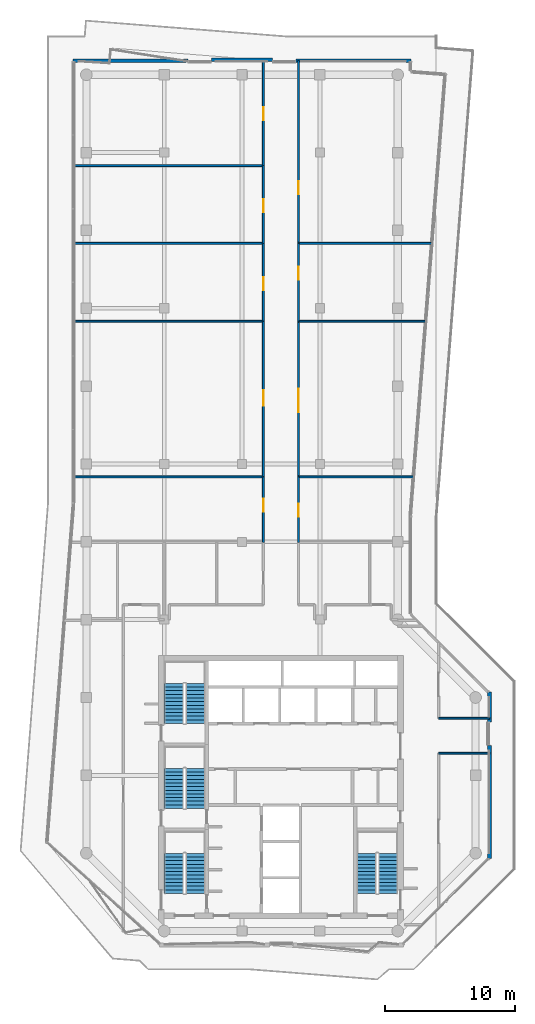
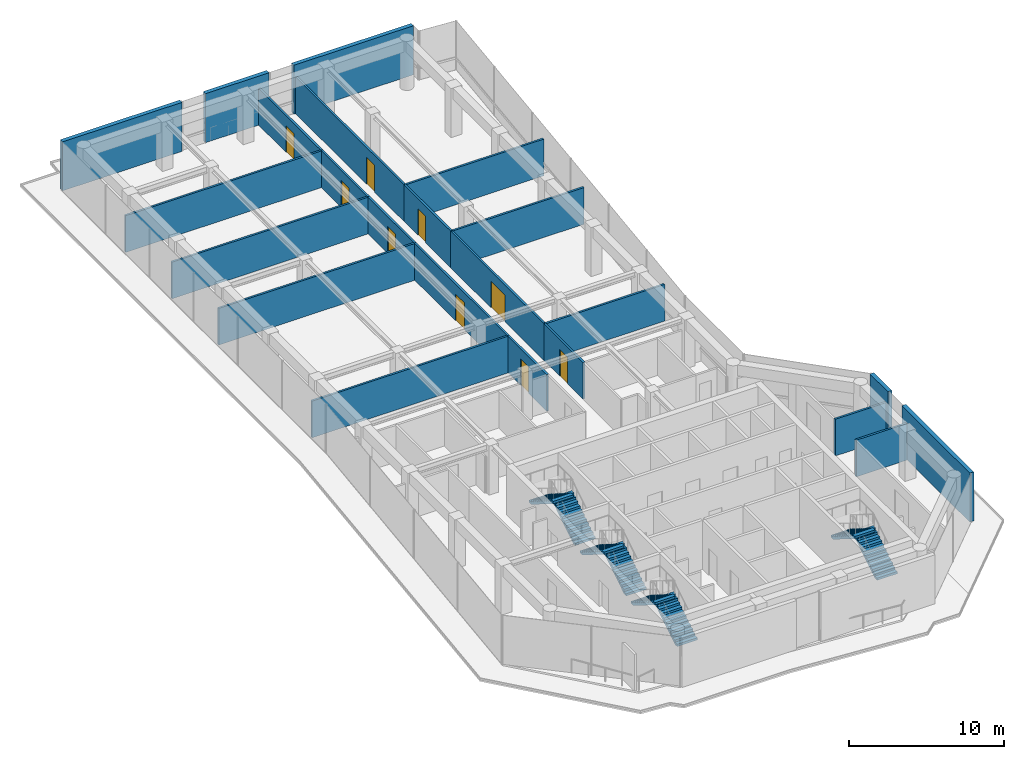
# One storey, part 21 of 23: 23 walls, 9 doors, 8 stair flights, 9 openings, 4 elements without a shape of their own.
"""IFC4 building model written with IfcOpenShell, lengths in metres."""

from ifc_helpers import new_model, si_unit, direction, frame, frame_2d, origin, place, context, subcontext, project, spatial, polyline, rectangle, outline, extrude, material, layer, layer_set, type_object, element, fill, aggregate, save


model = new_model("IFC4")

# Units and contexts
model_context = context("Model", 3, precision=1e-05, world=origin(), true_north=direction((0.0, 1.0)))
body_context = subcontext(model_context, "Body", "Model", "MODEL_VIEW")
ifc_project = project(units=[si_unit("LENGTHUNIT", "METRE"), si_unit("AREAUNIT", "SQUARE_METRE"), si_unit("VOLUMEUNIT", "CUBIC_METRE"), si_unit("PLANEANGLEUNIT", "RADIAN"), si_unit("MASSUNIT", "GRAM", prefix="KILO")], contexts=[model_context])

# Site, building, storey
site_placement = place(None, origin())
site = spatial("IfcSite", under=ifc_project, at=site_placement, CompositionType="ELEMENT")
building_placement = place(site_placement, origin())
building = spatial("IfcBuilding", under=site, at=building_placement, Name="Welwitschia Terrace Campus", CompositionType="ELEMENT")
storey_placement = place(building_placement, frame((0.0, 0.0, 247.39990234375)))
storey = spatial("IfcBuildingStorey", under=building, at=storey_placement, Name="L55", CompositionType="ELEMENT", Elevation=247.39990234375)

# Walls
ifc_material_1 = material(Name="Gypsum board on steel studs", Category="steel")
ifc_layer_1 = layer(ifc_material_1, 0.14990234375)
ifc_layer_set_1 = layer_set([ifc_layer_1], Name="Gypsum board on steel studs")
wall_type_1 = type_object("IfcWallType", Name="Corridor partition 150 EI 30", PredefinedType="PARTITIONING", material=ifc_layer_set_1)
for number, where, z_axis, x_axis, name in (
    (1, (-0.97998046875, 39.0, 0.0), (0.0, 0.0, 1.0), (1.0, 0.0, 0.0), "Partition"),
    (2, (-0.97998046875, 51.0, 0.0), (0.0, 0.0, 1.0), (1.0, 0.0, 0.0), "Partition"),
    (3, (-0.97998046875, 57.0, 0.0), (0.0, 0.0, 1.0), (1.0, 0.0, 0.0), "Partition"),
    (4, (-0.97998046875, 63.0, 0.0), (0.0, 0.0, 1.0), (1.0, 0.0, 0.0), "Partition"),
):
    element("IfcWall", number, at=place(storey_placement, frame(where, z_axis=z_axis, x_axis=x_axis)), inside=storey, type_object=wall_type_1, Name=name, PredefinedType="PARTITIONING", context=body_context, shape_type="SweptSolid", body=[
        extrude(rectangle(XDim=14.6298828125, YDim=0.14990234375, at=frame_2d((7.31494140625, 0.0))), origin(), (0.0, 0.0, 1.0), 2.880126953125),
    ])

# Wall, opening, door
wall_1_placement = place(storey_placement, frame((13.64990234375, 33.949951171875, 0.0), z_axis=(0.0, 0.0, 1.0), x_axis=(0.0, 1.0, 0.0)))
wall_1 = element("IfcWall", 5, at=wall_1_placement, inside=storey, type_object=wall_type_1, Name="Partition", PredefinedType="PARTITIONING", context=body_context, shape_type="SweptSolid", body=[
    extrude(rectangle(XDim=5.050048828125, YDim=0.14990234375, at=frame_2d((2.52490234375, 0.0))), origin(), (0.0, 0.0, 1.0), 2.880126953125),
])
opening_1_placement = place(wall_1_placement, frame((2.35009765625, 0.0, 0.0)))
opening_1 = element("IfcOpeningElement", 6, at=opening_1_placement, cuts=wall_1, Name="Opening DI10", PredefinedType="OPENING", context=body_context, shape_type="SweptSolid", body=[
    extrude(rectangle(XDim=1.0, YDim=2.10009765625, at=frame_2d((0.5, 1.050048828125))), frame((0.0, 0.0849609375, 0.0), z_axis=(0.0, -1.0, 0.0), x_axis=(1.0, 0.0, 0.0)), (0.0, 0.0, 1.0), 0.169921875),
])
ifc_material_2 = material(Name="Timber veneered door", Category="wood")
door_type_1 = type_object("IfcDoorType", Name="Interior door DI10", OperationType="NOTDEFINED", PredefinedType="DOOR", material=ifc_material_2)
door_1_placement = place(opening_1_placement, origin())
door_1 = element("IfcDoor", 7, at=door_1_placement, inside=storey, type_object=door_type_1, Name="Door L55 1005", OperationType="SINGLE_SWING_RIGHT", OverallHeight=2.10009765625, OverallWidth=1.0, PredefinedType="DOOR", context=body_context, shape_type="SweptSolid", body=[
    extrude(rectangle(XDim=1.0, YDim=2.10009765625, at=frame_2d((0.5, 1.050048828125))), frame((0.0, 0.02490234375, 0.0), z_axis=(0.0, -1.0, 0.0), x_axis=(1.0, 0.0, 0.0)), (0.0, 0.0, 1.0), 0.050048828125),
])
fill(opening_1, door_1)

wall_2_placement = place(storey_placement, frame((13.64990234375, 39.0, 0.0), z_axis=(0.0, 0.0, 1.0), x_axis=(0.0, 1.0, 0.0)))
wall_2 = element("IfcWall", 8, at=wall_2_placement, inside=storey, type_object=wall_type_1, Name="Partition", PredefinedType="PARTITIONING", context=body_context, shape_type="SweptSolid", body=[
    extrude(rectangle(XDim=12.0, YDim=0.14990234375, at=frame_2d((6.0, 0.0))), origin(), (0.0, 0.0, 1.0), 2.880126953125),
])
opening_2_placement = place(wall_2_placement, frame((5.5, 0.0, 0.0)))
opening_2 = element("IfcOpeningElement", 9, at=opening_2_placement, cuts=wall_2, Name="Opening DI12", PredefinedType="OPENING", context=body_context, shape_type="SweptSolid", body=[
    extrude(rectangle(XDim=1.199951171875, YDim=2.10009765625, at=frame_2d((0.60009765625, 1.050048828125))), frame((0.0, 0.0849609375, 0.0), z_axis=(0.0, -1.0, 0.0), x_axis=(1.0, 0.0, 0.0)), (0.0, 0.0, 1.0), 0.169921875),
])
ifc_material_3 = material(Name="Timber veneered door", Category="wood")
door_type_2 = type_object("IfcDoorType", Name="Interior door DI12", OperationType="NOTDEFINED", PredefinedType="DOOR", material=ifc_material_3)
door_2_placement = place(opening_2_placement, origin())
door_2 = element("IfcDoor", 10, at=door_2_placement, inside=storey, type_object=door_type_2, Name="Door L55 1006", OperationType="SINGLE_SWING_LEFT", OverallHeight=2.10009765625, OverallWidth=1.199951171875, PredefinedType="DOOR", context=body_context, shape_type="SweptSolid", body=[
    extrude(rectangle(XDim=1.199951171875, YDim=2.10009765625, at=frame_2d((0.60009765625, 1.050048828125))), frame((0.0, 0.02490234375, 0.0), z_axis=(0.0, -1.0, 0.0), x_axis=(1.0, 0.0, 0.0)), (0.0, 0.0, 1.0), 0.050048828125),
])
fill(opening_2, door_2)

wall_3_placement = place(storey_placement, frame((13.64990234375, 51.0, 0.0), z_axis=(0.0, 0.0, 1.0), x_axis=(0.0, 1.0, 0.0)))
wall_3 = element("IfcWall", 11, at=wall_3_placement, inside=storey, type_object=wall_type_1, Name="Partition", PredefinedType="PARTITIONING", context=body_context, shape_type="SweptSolid", body=[
    extrude(rectangle(XDim=6.0, YDim=0.14990234375, at=frame_2d((3.0, 0.0))), origin(), (0.0, 0.0, 1.0), 2.880126953125),
])
opening_3_placement = place(wall_3_placement, frame((2.39990234375, 0.0, 0.0)))
opening_3 = element("IfcOpeningElement", 12, at=opening_3_placement, cuts=wall_3, Name="Opening DI10", PredefinedType="OPENING", context=body_context, shape_type="SweptSolid", body=[
    extrude(rectangle(XDim=1.0, YDim=2.10009765625, at=frame_2d((0.5, 1.050048828125))), frame((0.0, 0.0849609375, 0.0), z_axis=(0.0, -1.0, 0.0), x_axis=(1.0, 0.0, 0.0)), (0.0, 0.0, 1.0), 0.169921875),
])
door_3_placement = place(opening_3_placement, origin())
door_3 = element("IfcDoor", 13, at=door_3_placement, inside=storey, type_object=door_type_1, Name="Door L55 1007", OperationType="SINGLE_SWING_RIGHT", OverallHeight=2.10009765625, OverallWidth=1.0, PredefinedType="DOOR", context=body_context, shape_type="SweptSolid", body=[
    extrude(rectangle(XDim=1.0, YDim=2.10009765625, at=frame_2d((0.5, 1.050048828125))), frame((0.0, 0.02490234375, 0.0), z_axis=(0.0, -1.0, 0.0), x_axis=(1.0, 0.0, 0.0)), (0.0, 0.0, 1.0), 0.050048828125),
])
fill(opening_3, door_3)

wall_4_placement = place(storey_placement, frame((13.64990234375, 57.0, 0.0), z_axis=(0.0, 0.0, 1.0), x_axis=(0.0, 1.0, 0.0)))
wall_4 = element("IfcWall", 14, at=wall_4_placement, inside=storey, type_object=wall_type_1, Name="Partition", PredefinedType="PARTITIONING", context=body_context, shape_type="SweptSolid", body=[
    extrude(rectangle(XDim=6.0, YDim=0.14990234375, at=frame_2d((3.0, 0.0))), origin(), (0.0, 0.0, 1.0), 2.880126953125),
])
opening_4_placement = place(wall_4_placement, frame((2.39990234375, 0.0, 0.0)))
opening_4 = element("IfcOpeningElement", 15, at=opening_4_placement, cuts=wall_4, Name="Opening DI10", PredefinedType="OPENING", context=body_context, shape_type="SweptSolid", body=[
    extrude(rectangle(XDim=1.0, YDim=2.10009765625, at=frame_2d((0.5, 1.050048828125))), frame((0.0, 0.0849609375, 0.0), z_axis=(0.0, -1.0, 0.0), x_axis=(1.0, 0.0, 0.0)), (0.0, 0.0, 1.0), 0.169921875),
])
door_4_placement = place(opening_4_placement, origin())
door_4 = element("IfcDoor", 16, at=door_4_placement, inside=storey, type_object=door_type_1, Name="Door L55 1008", OperationType="SINGLE_SWING_LEFT", OverallHeight=2.10009765625, OverallWidth=1.0, PredefinedType="DOOR", context=body_context, shape_type="SweptSolid", body=[
    extrude(rectangle(XDim=1.0, YDim=2.10009765625, at=frame_2d((0.5, 1.050048828125))), frame((0.0, 0.02490234375, 0.0), z_axis=(0.0, -1.0, 0.0), x_axis=(1.0, 0.0, 0.0)), (0.0, 0.0, 1.0), 0.050048828125),
])
fill(opening_4, door_4)

wall_5_placement = place(storey_placement, frame((13.64990234375, 63.0, 0.0), z_axis=(0.0, 0.0, 1.0), x_axis=(0.0, 1.0, 0.0)))
wall_5 = element("IfcWall", 17, at=wall_5_placement, inside=storey, type_object=wall_type_1, Name="Partition", PredefinedType="PARTITIONING", context=body_context, shape_type="SweptSolid", body=[
    extrude(rectangle(XDim=8.090087890625, YDim=0.14990234375, at=frame_2d((4.044921875, 0.0))), origin(), (0.0, 0.0, 1.0), 2.880126953125),
])
opening_5_placement = place(wall_5_placement, frame((3.47998046875, 0.0, 0.0)))
opening_5 = element("IfcOpeningElement", 18, at=opening_5_placement, cuts=wall_5, Name="Opening DI10", PredefinedType="OPENING", context=body_context, shape_type="SweptSolid", body=[
    extrude(rectangle(XDim=1.0, YDim=2.10009765625, at=frame_2d((0.5, 1.050048828125))), frame((0.0, 0.0849609375, 0.0), z_axis=(0.0, -1.0, 0.0), x_axis=(1.0, 0.0, 0.0)), (0.0, 0.0, 1.0), 0.169921875),
])
door_5_placement = place(opening_5_placement, origin())
door_5 = element("IfcDoor", 19, at=door_5_placement, inside=storey, type_object=door_type_1, Name="Door L55 1009", OperationType="SINGLE_SWING_RIGHT", OverallHeight=2.10009765625, OverallWidth=1.0, PredefinedType="DOOR", context=body_context, shape_type="SweptSolid", body=[
    extrude(rectangle(XDim=1.0, YDim=2.10009765625, at=frame_2d((0.5, 1.050048828125))), frame((0.0, 0.02490234375, 0.0), z_axis=(0.0, -1.0, 0.0), x_axis=(1.0, 0.0, 0.0)), (0.0, 0.0, 1.0), 0.050048828125),
])
fill(opening_5, door_5)

wall_6_placement = place(storey_placement, frame((16.35009765625, 39.0, 0.0), z_axis=(0.0, 0.0, 1.0), x_axis=(0.0, -1.0, 0.0)))
wall_6 = element("IfcWall", 20, at=wall_6_placement, inside=storey, type_object=wall_type_1, Name="Partition", PredefinedType="PARTITIONING", context=body_context, shape_type="SweptSolid", body=[
    extrude(rectangle(XDim=5.050048828125, YDim=0.14990234375, at=frame_2d((2.52490234375, 0.0))), origin(), (0.0, 0.0, 1.0), 2.880126953125),
])
opening_6_placement = place(wall_6_placement, frame((2.050048828125, 0.0, 0.0)))
opening_6 = element("IfcOpeningElement", 21, at=opening_6_placement, cuts=wall_6, Name="Opening DI10", PredefinedType="OPENING", context=body_context, shape_type="SweptSolid", body=[
    extrude(rectangle(XDim=1.0, YDim=2.10009765625, at=frame_2d((0.5, 1.050048828125))), frame((0.0, 0.0849609375, 0.0), z_axis=(0.0, -1.0, 0.0), x_axis=(1.0, 0.0, 0.0)), (0.0, 0.0, 1.0), 0.169921875),
])
door_6_placement = place(opening_6_placement, origin())
door_6 = element("IfcDoor", 22, at=door_6_placement, inside=storey, type_object=door_type_1, Name="Door L55 1010", OperationType="SINGLE_SWING_LEFT", OverallHeight=2.10009765625, OverallWidth=1.0, PredefinedType="DOOR", context=body_context, shape_type="SweptSolid", body=[
    extrude(rectangle(XDim=1.0, YDim=2.10009765625, at=frame_2d((0.5, 1.050048828125))), frame((0.0, 0.02490234375, 0.0), z_axis=(0.0, -1.0, 0.0), x_axis=(1.0, 0.0, 0.0)), (0.0, 0.0, 1.0), 0.050048828125),
])
fill(opening_6, door_6)

wall_7_placement = place(storey_placement, frame((16.35009765625, 39.0, 0.0), z_axis=(0.0, 0.0, 1.0), x_axis=(0.0, 1.0, 0.0)))
wall_7 = element("IfcWall", 23, at=wall_7_placement, inside=storey, type_object=wall_type_1, Name="Partition", PredefinedType="PARTITIONING", context=body_context, shape_type="SweptSolid", body=[
    extrude(rectangle(XDim=12.0, YDim=0.14990234375, at=frame_2d((6.0, 0.0))), origin(), (0.0, 0.0, 1.0), 2.880126953125),
])
opening_7_placement = place(wall_7_placement, frame((5.0, 0.0, 0.0)))
opening_7 = element("IfcOpeningElement", 24, at=opening_7_placement, cuts=wall_7, Name="Opening DI18", PredefinedType="OPENING", context=body_context, shape_type="SweptSolid", body=[
    extrude(rectangle(XDim=1.800048828125, YDim=2.10009765625, at=frame_2d((0.89990234375, 1.050048828125))), frame((0.0, 0.0849609375, 0.0), z_axis=(0.0, -1.0, 0.0), x_axis=(1.0, 0.0, 0.0)), (0.0, 0.0, 1.0), 0.169921875),
])
ifc_material_4 = material(Name="Timber veneered door", Category="wood")
door_type_3 = type_object("IfcDoorType", Name="Interior door DI18", OperationType="DOUBLE_DOOR_SINGLE_SWING", PredefinedType="DOOR", material=ifc_material_4)
door_7_placement = place(opening_7_placement, origin())
door_7 = element("IfcDoor", 25, at=door_7_placement, inside=storey, type_object=door_type_3, Name="Door L55 1011", OperationType="SINGLE_SWING_LEFT", OverallHeight=2.10009765625, OverallWidth=1.800048828125, PredefinedType="DOOR", context=body_context, shape_type="SweptSolid", body=[
    extrude(rectangle(XDim=1.800048828125, YDim=2.10009765625, at=frame_2d((0.89990234375, 1.050048828125))), frame((0.0, 0.02490234375, 0.0), z_axis=(0.0, -1.0, 0.0), x_axis=(1.0, 0.0, 0.0)), (0.0, 0.0, 1.0), 0.050048828125),
])
fill(opening_7, door_7)

# Walls
wall_8_placement = place(storey_placement, frame((16.35009765625, 39.0, 0.0), z_axis=(0.0, 0.0, 1.0), x_axis=(1.0, 0.0, 0.0)))
element("IfcWall", 26, at=wall_8_placement, inside=storey, type_object=wall_type_1, Name="Partition", PredefinedType="PARTITIONING", context=body_context, shape_type="SweptSolid", body=[
    extrude(rectangle(XDim=8.869873046875, YDim=0.14990234375, at=frame_2d((4.43505859375, 0.0))), origin(), (0.0, 0.0, 1.0), 2.880126953125),
])
wall_9_placement = place(storey_placement, frame((16.35009765625, 51.0, 0.0), z_axis=(0.0, 0.0, 1.0), x_axis=(1.0, 0.0, 0.0)))
element("IfcWall", 27, at=wall_9_placement, inside=storey, type_object=wall_type_1, Name="Partition", PredefinedType="PARTITIONING", context=body_context, shape_type="SweptSolid", body=[
    extrude(rectangle(XDim=9.809814453125, YDim=0.14990234375, at=frame_2d((4.90478515625, 0.0))), origin(), (0.0, 0.0, 1.0), 2.880126953125),
])

# Wall, opening, door
wall_10_placement = place(storey_placement, frame((16.35009765625, 57.0, 0.0), z_axis=(0.0, 0.0, 1.0), x_axis=(0.0, -1.0, 0.0)))
wall_10 = element("IfcWall", 28, at=wall_10_placement, inside=storey, type_object=wall_type_1, Name="Partition", PredefinedType="PARTITIONING", context=body_context, shape_type="SweptSolid", body=[
    extrude(rectangle(XDim=6.0, YDim=0.14990234375, at=frame_2d((3.0, 0.0))), origin(), (0.0, 0.0, 1.0), 2.880126953125),
])
opening_8_placement = place(wall_10_placement, frame((1.800048828125, 0.0, 0.0)))
opening_8 = element("IfcOpeningElement", 29, at=opening_8_placement, cuts=wall_10, Name="Opening DI10", PredefinedType="OPENING", context=body_context, shape_type="SweptSolid", body=[
    extrude(rectangle(XDim=1.0, YDim=2.10009765625, at=frame_2d((0.5, 1.050048828125))), frame((0.0, 0.0849609375, 0.0), z_axis=(0.0, -1.0, 0.0), x_axis=(1.0, 0.0, 0.0)), (0.0, 0.0, 1.0), 0.169921875),
])
door_8_placement = place(opening_8_placement, origin())
door_8 = element("IfcDoor", 30, at=door_8_placement, inside=storey, type_object=door_type_1, Name="Door L55 1012", OperationType="SINGLE_SWING_LEFT", OverallHeight=2.10009765625, OverallWidth=1.0, PredefinedType="DOOR", context=body_context, shape_type="SweptSolid", body=[
    extrude(rectangle(XDim=1.0, YDim=2.10009765625, at=frame_2d((0.5, 1.050048828125))), frame((0.0, 0.02490234375, 0.0), z_axis=(0.0, -1.0, 0.0), x_axis=(1.0, 0.0, 0.0)), (0.0, 0.0, 1.0), 0.050048828125),
])
fill(opening_8, door_8)

# Wall
wall_11_placement = place(storey_placement, frame((16.35009765625, 57.0, 0.0), z_axis=(0.0, 0.0, 1.0), x_axis=(1.0, 0.0, 0.0)))
element("IfcWall", 31, at=wall_11_placement, inside=storey, type_object=wall_type_1, Name="Partition", PredefinedType="PARTITIONING", context=body_context, shape_type="SweptSolid", body=[
    extrude(rectangle(XDim=10.289794921875, YDim=0.14990234375, at=frame_2d((5.14501953125, 0.0))), origin(), (0.0, 0.0, 1.0), 2.880126953125),
])

# Wall, opening, door
wall_12_placement = place(storey_placement, frame((16.35009765625, 71.090087890625, 0.0), z_axis=(0.0, 0.0, 1.0), x_axis=(0.0, -1.0, 0.0)))
wall_12 = element("IfcWall", 32, at=wall_12_placement, inside=storey, type_object=wall_type_1, Name="Partition", PredefinedType="PARTITIONING", context=body_context, shape_type="SweptSolid", body=[
    extrude(rectangle(XDim=14.090087890625, YDim=0.14990234375, at=frame_2d((7.044921875, 0.0))), origin(), (0.0, 0.0, 1.0), 2.880126953125),
])
opening_9_placement = place(wall_12_placement, frame((9.2900390625, 0.0, 0.0)))
opening_9 = element("IfcOpeningElement", 33, at=opening_9_placement, cuts=wall_12, Name="Opening DI10", PredefinedType="OPENING", context=body_context, shape_type="SweptSolid", body=[
    extrude(rectangle(XDim=1.0, YDim=2.10009765625, at=frame_2d((0.5, 1.050048828125))), frame((0.0, 0.0849609375, 0.0), z_axis=(0.0, -1.0, 0.0), x_axis=(1.0, 0.0, 0.0)), (0.0, 0.0, 1.0), 0.169921875),
])
door_9_placement = place(opening_9_placement, origin())
door_9 = element("IfcDoor", 34, at=door_9_placement, inside=storey, type_object=door_type_1, Name="Door L55 1013", OperationType="SINGLE_SWING_RIGHT", OverallHeight=2.10009765625, OverallWidth=1.0, PredefinedType="DOOR", context=body_context, shape_type="SweptSolid", body=[
    extrude(rectangle(XDim=1.0, YDim=2.10009765625, at=frame_2d((0.5, 1.050048828125))), frame((0.0, 0.02490234375, 0.0), z_axis=(0.0, -1.0, 0.0), x_axis=(1.0, 0.0, 0.0)), (0.0, 0.0, 1.0), 0.050048828125),
])
fill(opening_9, door_9)

# Walls
for number, where, z_axis, x_axis, name in (
    (35, (27.14990234375, 17.699951171875, 0.0), (0.0, 0.0, 1.0), (1.0, 0.0, 0.0), "Partition"),
    (36, (27.14990234375, 20.39990234375, 0.0), (0.0, 0.0, 1.0), (1.0, 0.0, 0.0), "Partition"),
):
    element("IfcWall", number, at=place(storey_placement, frame(where, z_axis=z_axis, x_axis=x_axis)), inside=storey, type_object=wall_type_1, Name=name, PredefinedType="PARTITIONING", context=body_context, shape_type="SweptSolid", body=[
        extrude(rectangle(XDim=3.940185546875, YDim=0.14990234375, at=frame_2d((1.97021484375, 0.0))), origin(), (0.0, 0.0, 1.0), 2.880126953125),
    ])
ifc_material_5 = material(Name="Concrete C40/50", Category="concrete")
ifc_layer_2 = layer(ifc_material_5, 0.300048828125)
ifc_layer_set_2 = layer_set([ifc_layer_2], Name="Concrete C40/50")
wall_type_2 = type_object("IfcWallType", Name="Mass wall 300", PredefinedType="SOLIDWALL", material=ifc_layer_set_2)
wall_13_placement = place(storey_placement, frame((31.07958984375, 9.573486328125, 0.0), z_axis=(0.0, 0.0, 1.0), x_axis=(0.0, 1.0, 0.0)))
element("IfcWall", 37, at=wall_13_placement, inside=storey, type_object=wall_type_2, Name="Mass wall L55.5.0", PredefinedType="SOLIDWALL", context=body_context, shape_type="SweptSolid", body=[
    extrude(rectangle(XDim=8.73974609375, YDim=0.300048828125, at=frame_2d((4.369873046875, 0.0))), origin(), (0.0, 0.0, 1.0), 3.85009765625),
])
wall_14_placement = place(storey_placement, frame((31.07958984375, 20.11328125, 0.0), z_axis=(0.0, 0.0, 1.0), x_axis=(0.0, 1.0, 0.0)))
element("IfcWall", 38, at=wall_14_placement, inside=storey, type_object=wall_type_2, Name="Mass wall L55.5.1", PredefinedType="SOLIDWALL", context=body_context, shape_type="SweptSolid", body=[
    extrude(rectangle(XDim=2.313232421875, YDim=0.300048828125, at=frame_2d((1.15673828125, 0.0))), origin(), (0.0, 0.0, 1.0), 3.85009765625),
])
wall_15_placement = place(storey_placement, frame((25.030029296875, 71.078125, 0.0), z_axis=(0.0, 0.0, 1.0), x_axis=(-1.0, 0.0, 0.0)))
element("IfcWall", 39, at=wall_15_placement, inside=storey, type_object=wall_type_2, Name="Mass wall L55.11.0", PredefinedType="SOLIDWALL", context=body_context, shape_type="SweptSolid", body=[
    extrude(rectangle(XDim=8.87255859375, YDim=0.300048828125, at=frame_2d((4.436279296875, 0.0))), origin(), (0.0, 0.0, 1.0), 3.85009765625),
])
wall_16_placement = place(storey_placement, frame((14.357421875, 71.1572265625, 0.0), z_axis=(0.0, 0.0, 1.0), x_axis=(-1.0, 0.0, 0.0)))
element("IfcWall", 40, at=wall_16_placement, inside=storey, type_object=wall_type_2, Name="Mass wall L55.11.1", PredefinedType="SOLIDWALL", context=body_context, shape_type="SweptSolid", body=[
    extrude(rectangle(XDim=4.71484375, YDim=0.300048828125, at=frame_2d((2.357421875, 0.0))), origin(), (0.0, 0.0, 1.0), 3.85009765625),
])
wall_17_placement = place(storey_placement, frame((7.842529296875, 71.078125, 0.0), z_axis=(0.0, 0.0, 1.0), x_axis=(-1.0, 0.0, 0.0)))
element("IfcWall", 41, at=wall_17_placement, inside=storey, type_object=wall_type_2, Name="Mass wall L55.11.2", PredefinedType="SOLIDWALL", context=body_context, shape_type="SweptSolid", body=[
    extrude(rectangle(XDim=8.87255859375, YDim=0.300048828125, at=frame_2d((4.436279296875, 0.0))), origin(), (0.0, 0.0, 1.0), 3.85009765625),
])

# Stair, stair flights
ifc_material_6 = material(Name="Concrete C40/50", Category="concrete")
stair_type = type_object("IfcStairType", Name="Stair 24R 175 W1500", PredefinedType="HALF_TURN_STAIR", material=ifc_material_6)
stair_1_placement = place(storey_placement, origin())
stair_1 = element("IfcStair", 42, at=stair_1_placement, inside=storey, type_object=stair_type, Name="L55 Exit stair S1", PredefinedType="HALF_TURN_STAIR")
ifc_material_7 = material(Name="Concrete C40/50", Category="concrete")
stair_flight_type = type_object("IfcStairFlightType", Name="Stair flight 24R 175 W1500", PredefinedType="STRAIGHT", material=ifc_material_7)
stair_flight_1_placement = place(storey_placement, frame((8.39990234375, 6.89990234375, 0.0), z_axis=(0.0, 0.0, 1.0), x_axis=(0.0, 1.0, 0.0)))
stair_flight_1 = element("IfcStairFlight", 43, at=stair_flight_1_placement, type_object=stair_flight_type, Name="S1 flight 1", NumberOfRisers=12, NumberOfTreads=11, PredefinedType="STRAIGHT", RiserHeight=0.175, TreadLength=0.28, context=body_context, shape_type="SweptSolid", body=[
    extrude(outline(polyline([(0.0, 0.0), (0.0, 0.175048828125), (0.280029296875, 0.175048828125), (0.280029296875, 0.35009765625), (0.56005859375, 0.35009765625), (0.56005859375, 0.52490234375), (0.840087890625, 0.52490234375), (0.840087890625, 0.699951171875), (1.1201171875, 0.699951171875), (1.1201171875, 0.875), (1.39990234375, 0.875), (1.39990234375, 1.050048828125), (1.679931640625, 1.050048828125), (1.679931640625, 1.22509765625), (1.9599609375, 1.22509765625), (1.9599609375, 1.39990234375), (2.239990234375, 1.39990234375), (2.239990234375, 1.574951171875), (2.52001953125, 1.574951171875), (2.52001953125, 1.75), (2.800048828125, 1.75), (2.800048828125, 1.925048828125), (3.080078125, 1.925048828125), (3.080078125, 2.10009765625), (3.080078125, 1.748291015625), (0.28271484375, 0.0), (0.0, 0.0)])), frame((0.0, 0.75, 0.0), z_axis=(0.0, -1.0, 0.0), x_axis=(1.0, 0.0, 0.0)), (0.0, 0.0, 1.0), 1.5),
])
stair_flight_2_placement = place(storey_placement, frame((6.75, 9.97998046875, 2.10009765625), z_axis=(0.0, 0.0, 1.0), x_axis=(0.0, -1.0, 0.0)))
stair_flight_2 = element("IfcStairFlight", 44, at=stair_flight_2_placement, type_object=stair_flight_type, Name="S1 flight 2", NumberOfRisers=12, NumberOfTreads=11, PredefinedType="STRAIGHT", RiserHeight=0.175, TreadLength=0.28, context=body_context, shape_type="SweptSolid", body=[
    extrude(outline(polyline([(0.0, 0.0), (0.0, 0.175048828125), (0.280029296875, 0.175048828125), (0.280029296875, 0.35009765625), (0.56005859375, 0.35009765625), (0.56005859375, 0.52490234375), (0.840087890625, 0.52490234375), (0.840087890625, 0.699951171875), (1.1201171875, 0.699951171875), (1.1201171875, 0.875), (1.39990234375, 0.875), (1.39990234375, 1.050048828125), (1.679931640625, 1.050048828125), (1.679931640625, 1.22509765625), (1.9599609375, 1.22509765625), (1.9599609375, 1.39990234375), (2.239990234375, 1.39990234375), (2.239990234375, 1.574951171875), (2.52001953125, 1.574951171875), (2.52001953125, 1.75), (2.800048828125, 1.75), (2.800048828125, 1.925048828125), (3.080078125, 1.925048828125), (3.080078125, 2.10009765625), (3.080078125, 1.748291015625), (0.28271484375, 0.0), (0.0, 0.0)])), frame((0.0, 0.75, 0.0), z_axis=(0.0, -1.0, 0.0), x_axis=(1.0, 0.0, 0.0)), (0.0, 0.0, 1.0), 1.5),
])
aggregate(stair_1, [stair_flight_1, stair_flight_2])

stair_2_placement = place(storey_placement, origin())
stair_2 = element("IfcStair", 45, at=stair_2_placement, inside=storey, type_object=stair_type, Name="L55 Exit stair S3", PredefinedType="HALF_TURN_STAIR")
stair_flight_3_placement = place(storey_placement, frame((8.39990234375, 13.449951171875, 0.0), z_axis=(0.0, 0.0, 1.0), x_axis=(0.0, 1.0, 0.0)))
stair_flight_3 = element("IfcStairFlight", 46, at=stair_flight_3_placement, type_object=stair_flight_type, Name="S3 flight 1", NumberOfRisers=12, NumberOfTreads=11, PredefinedType="STRAIGHT", RiserHeight=0.175, TreadLength=0.28, context=body_context, shape_type="SweptSolid", body=[
    extrude(outline(polyline([(0.0, 0.0), (0.0, 0.175048828125), (0.280029296875, 0.175048828125), (0.280029296875, 0.35009765625), (0.56005859375, 0.35009765625), (0.56005859375, 0.52490234375), (0.840087890625, 0.52490234375), (0.840087890625, 0.699951171875), (1.1201171875, 0.699951171875), (1.1201171875, 0.875), (1.39990234375, 0.875), (1.39990234375, 1.050048828125), (1.679931640625, 1.050048828125), (1.679931640625, 1.22509765625), (1.9599609375, 1.22509765625), (1.9599609375, 1.39990234375), (2.239990234375, 1.39990234375), (2.239990234375, 1.574951171875), (2.52001953125, 1.574951171875), (2.52001953125, 1.75), (2.800048828125, 1.75), (2.800048828125, 1.925048828125), (3.080078125, 1.925048828125), (3.080078125, 2.10009765625), (3.080078125, 1.748291015625), (0.28271484375, 0.0), (0.0, 0.0)])), frame((0.0, 0.75, 0.0), z_axis=(0.0, -1.0, 0.0), x_axis=(1.0, 0.0, 0.0)), (0.0, 0.0, 1.0), 1.5),
])
stair_flight_4_placement = place(storey_placement, frame((6.75, 16.530029296875, 2.10009765625), z_axis=(0.0, 0.0, 1.0), x_axis=(0.0, -1.0, 0.0)))
stair_flight_4 = element("IfcStairFlight", 47, at=stair_flight_4_placement, type_object=stair_flight_type, Name="S3 flight 2", NumberOfRisers=12, NumberOfTreads=11, PredefinedType="STRAIGHT", RiserHeight=0.175, TreadLength=0.28, context=body_context, shape_type="SweptSolid", body=[
    extrude(outline(polyline([(0.0, 0.0), (0.0, 0.175048828125), (0.280029296875, 0.175048828125), (0.280029296875, 0.35009765625), (0.56005859375, 0.35009765625), (0.56005859375, 0.52490234375), (0.840087890625, 0.52490234375), (0.840087890625, 0.699951171875), (1.1201171875, 0.699951171875), (1.1201171875, 0.875), (1.39990234375, 0.875), (1.39990234375, 1.050048828125), (1.679931640625, 1.050048828125), (1.679931640625, 1.22509765625), (1.9599609375, 1.22509765625), (1.9599609375, 1.39990234375), (2.239990234375, 1.39990234375), (2.239990234375, 1.574951171875), (2.52001953125, 1.574951171875), (2.52001953125, 1.75), (2.800048828125, 1.75), (2.800048828125, 1.925048828125), (3.080078125, 1.925048828125), (3.080078125, 2.10009765625), (3.080078125, 1.748291015625), (0.28271484375, 0.0), (0.0, 0.0)])), frame((0.0, 0.75, 0.0), z_axis=(0.0, -1.0, 0.0), x_axis=(1.0, 0.0, 0.0)), (0.0, 0.0, 1.0), 1.5),
])
aggregate(stair_2, [stair_flight_3, stair_flight_4])

stair_3_placement = place(storey_placement, origin())
stair_3 = element("IfcStair", 48, at=stair_3_placement, inside=storey, type_object=stair_type, Name="L55 Exit stair S4", PredefinedType="HALF_TURN_STAIR")
stair_flight_5_placement = place(storey_placement, frame((8.39990234375, 20.0, 0.0), z_axis=(0.0, 0.0, 1.0), x_axis=(0.0, 1.0, 0.0)))
stair_flight_5 = element("IfcStairFlight", 49, at=stair_flight_5_placement, type_object=stair_flight_type, Name="S4 flight 1", NumberOfRisers=12, NumberOfTreads=11, PredefinedType="STRAIGHT", RiserHeight=0.175, TreadLength=0.28, context=body_context, shape_type="SweptSolid", body=[
    extrude(outline(polyline([(0.0, 0.0), (0.0, 0.175048828125), (0.280029296875, 0.175048828125), (0.280029296875, 0.35009765625), (0.56005859375, 0.35009765625), (0.56005859375, 0.52490234375), (0.840087890625, 0.52490234375), (0.840087890625, 0.699951171875), (1.1201171875, 0.699951171875), (1.1201171875, 0.875), (1.39990234375, 0.875), (1.39990234375, 1.050048828125), (1.679931640625, 1.050048828125), (1.679931640625, 1.22509765625), (1.9599609375, 1.22509765625), (1.9599609375, 1.39990234375), (2.239990234375, 1.39990234375), (2.239990234375, 1.574951171875), (2.52001953125, 1.574951171875), (2.52001953125, 1.75), (2.800048828125, 1.75), (2.800048828125, 1.925048828125), (3.080078125, 1.925048828125), (3.080078125, 2.10009765625), (3.080078125, 1.748291015625), (0.28271484375, 0.0), (0.0, 0.0)])), frame((0.0, 0.75, 0.0), z_axis=(0.0, -1.0, 0.0), x_axis=(1.0, 0.0, 0.0)), (0.0, 0.0, 1.0), 1.5),
])
stair_flight_6_placement = place(storey_placement, frame((6.75, 23.080078125, 2.10009765625), z_axis=(0.0, 0.0, 1.0), x_axis=(0.0, -1.0, 0.0)))
stair_flight_6 = element("IfcStairFlight", 50, at=stair_flight_6_placement, type_object=stair_flight_type, Name="S4 flight 2", NumberOfRisers=12, NumberOfTreads=11, PredefinedType="STRAIGHT", RiserHeight=0.175, TreadLength=0.28, context=body_context, shape_type="SweptSolid", body=[
    extrude(outline(polyline([(0.0, 0.0), (0.0, 0.175048828125), (0.280029296875, 0.175048828125), (0.280029296875, 0.35009765625), (0.56005859375, 0.35009765625), (0.56005859375, 0.52490234375), (0.840087890625, 0.52490234375), (0.840087890625, 0.699951171875), (1.1201171875, 0.699951171875), (1.1201171875, 0.875), (1.39990234375, 0.875), (1.39990234375, 1.050048828125), (1.679931640625, 1.050048828125), (1.679931640625, 1.22509765625), (1.9599609375, 1.22509765625), (1.9599609375, 1.39990234375), (2.239990234375, 1.39990234375), (2.239990234375, 1.574951171875), (2.52001953125, 1.574951171875), (2.52001953125, 1.75), (2.800048828125, 1.75), (2.800048828125, 1.925048828125), (3.080078125, 1.925048828125), (3.080078125, 2.10009765625), (3.080078125, 1.748291015625), (0.28271484375, 0.0), (0.0, 0.0)])), frame((0.0, 0.75, 0.0), z_axis=(0.0, -1.0, 0.0), x_axis=(1.0, 0.0, 0.0)), (0.0, 0.0, 1.0), 1.5),
])
aggregate(stair_3, [stair_flight_5, stair_flight_6])

stair_4_placement = place(storey_placement, origin())
stair_4 = element("IfcStair", 51, at=stair_4_placement, inside=storey, type_object=stair_type, Name="L55 Exit stair S2", PredefinedType="HALF_TURN_STAIR")
stair_flight_7_placement = place(storey_placement, frame((23.25, 6.89990234375, 0.0), z_axis=(0.0, 0.0, 1.0), x_axis=(0.0, 1.0, 0.0)))
stair_flight_7 = element("IfcStairFlight", 52, at=stair_flight_7_placement, type_object=stair_flight_type, Name="S2 flight 1", NumberOfRisers=12, NumberOfTreads=11, PredefinedType="STRAIGHT", RiserHeight=0.175, TreadLength=0.28, context=body_context, shape_type="SweptSolid", body=[
    extrude(outline(polyline([(0.0, 0.0), (0.0, 0.175048828125), (0.280029296875, 0.175048828125), (0.280029296875, 0.35009765625), (0.56005859375, 0.35009765625), (0.56005859375, 0.52490234375), (0.840087890625, 0.52490234375), (0.840087890625, 0.699951171875), (1.1201171875, 0.699951171875), (1.1201171875, 0.875), (1.39990234375, 0.875), (1.39990234375, 1.050048828125), (1.679931640625, 1.050048828125), (1.679931640625, 1.22509765625), (1.9599609375, 1.22509765625), (1.9599609375, 1.39990234375), (2.239990234375, 1.39990234375), (2.239990234375, 1.574951171875), (2.52001953125, 1.574951171875), (2.52001953125, 1.75), (2.800048828125, 1.75), (2.800048828125, 1.925048828125), (3.080078125, 1.925048828125), (3.080078125, 2.10009765625), (3.080078125, 1.748291015625), (0.28271484375, 0.0), (0.0, 0.0)])), frame((0.0, 0.75, 0.0), z_axis=(0.0, -1.0, 0.0), x_axis=(1.0, 0.0, 0.0)), (0.0, 0.0, 1.0), 1.5),
])
stair_flight_8_placement = place(storey_placement, frame((21.60009765625, 9.97998046875, 2.10009765625), z_axis=(0.0, 0.0, 1.0), x_axis=(0.0, -1.0, 0.0)))
stair_flight_8 = element("IfcStairFlight", 53, at=stair_flight_8_placement, type_object=stair_flight_type, Name="S2 flight 2", NumberOfRisers=12, NumberOfTreads=11, PredefinedType="STRAIGHT", RiserHeight=0.175, TreadLength=0.28, context=body_context, shape_type="SweptSolid", body=[
    extrude(outline(polyline([(0.0, 0.0), (0.0, 0.175048828125), (0.280029296875, 0.175048828125), (0.280029296875, 0.35009765625), (0.56005859375, 0.35009765625), (0.56005859375, 0.52490234375), (0.840087890625, 0.52490234375), (0.840087890625, 0.699951171875), (1.1201171875, 0.699951171875), (1.1201171875, 0.875), (1.39990234375, 0.875), (1.39990234375, 1.050048828125), (1.679931640625, 1.050048828125), (1.679931640625, 1.22509765625), (1.9599609375, 1.22509765625), (1.9599609375, 1.39990234375), (2.239990234375, 1.39990234375), (2.239990234375, 1.574951171875), (2.52001953125, 1.574951171875), (2.52001953125, 1.75), (2.800048828125, 1.75), (2.800048828125, 1.925048828125), (3.080078125, 1.925048828125), (3.080078125, 2.10009765625), (3.080078125, 1.748291015625), (0.28271484375, 0.0), (0.0, 0.0)])), frame((0.0, 0.75, 0.0), z_axis=(0.0, -1.0, 0.0), x_axis=(1.0, 0.0, 0.0)), (0.0, 0.0, 1.0), 1.5),
])
aggregate(stair_4, [stair_flight_7, stair_flight_8])

save(model, "model.ifc")
